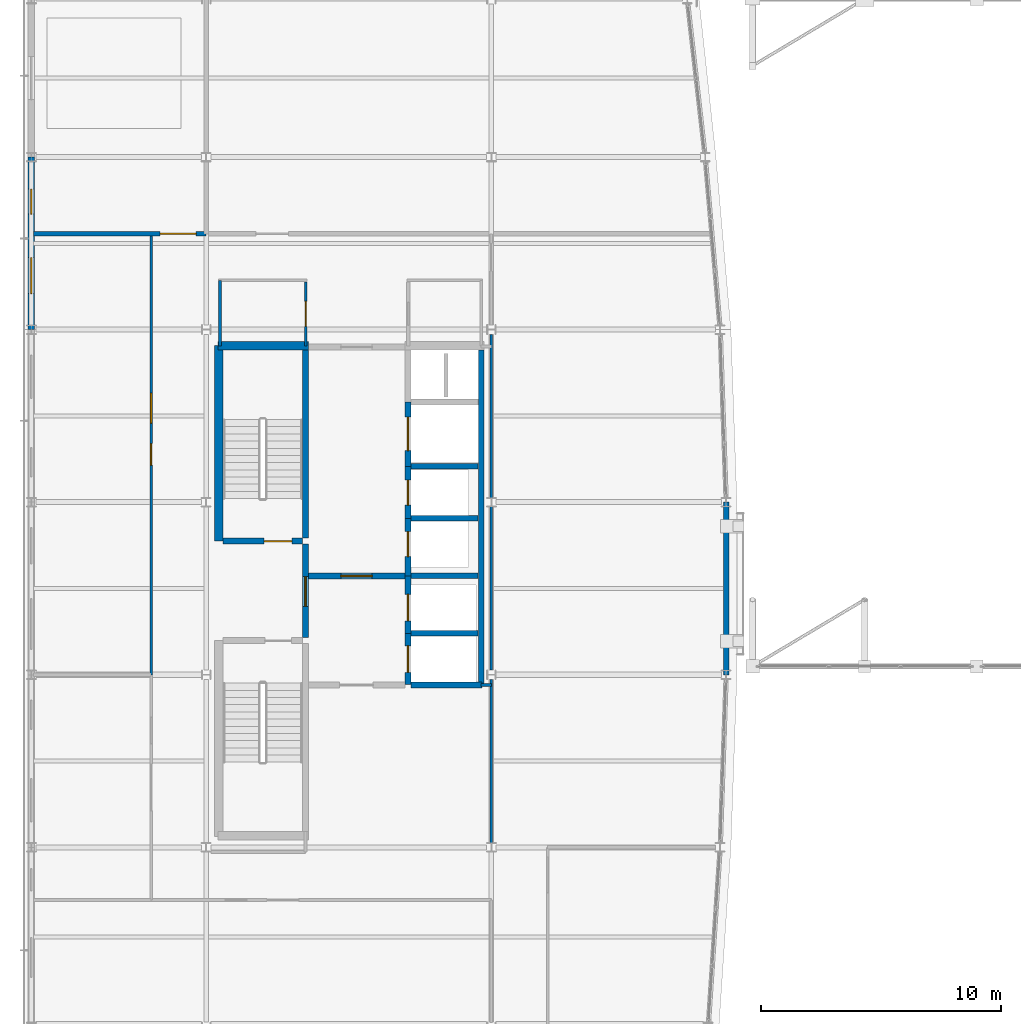
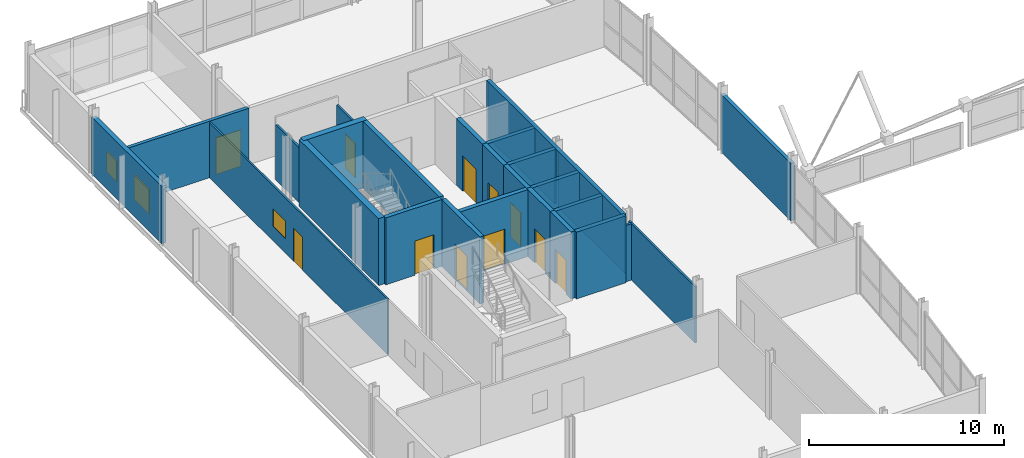
# One storey, part 51 of 60: 27 walls, 11 doors, 3 windows, 14 openings.
"""IFC4 building model written with IfcOpenShell, lengths in metres."""

from ifc_helpers import new_model, si_unit, direction, frame, frame_2d, origin, place, context, subcontext, project, spatial, rectangle, extrude, material, layer, layer_set, type_object, element, fill, save


model = new_model("IFC4")

# Units and contexts
model_context = context("Model", 3, precision=1e-05, world=origin(), true_north=direction((0.0, 1.0)))
body_context = subcontext(model_context, "Body", "Model", "MODEL_VIEW")
ifc_project = project(units=[si_unit("LENGTHUNIT", "METRE"), si_unit("AREAUNIT", "SQUARE_METRE"), si_unit("VOLUMEUNIT", "CUBIC_METRE"), si_unit("PLANEANGLEUNIT", "RADIAN"), si_unit("MASSUNIT", "GRAM", prefix="KILO")], contexts=[model_context])

# Site, building, storey
site_placement = place(None, origin())
site = spatial("IfcSite", under=ifc_project, at=site_placement, CompositionType="ELEMENT")
building_placement = place(site_placement, origin())
building = spatial("IfcBuilding", under=site, at=building_placement, Name="Quillay Park Conservatory", CompositionType="ELEMENT")
storey_placement = place(building_placement, frame((0.0, 0.0, 9.89990234375)))
storey = spatial("IfcBuildingStorey", under=building, at=storey_placement, Name="L02", CompositionType="ELEMENT", Elevation=9.89990234375)

# Wall, openings, window, door
ifc_material_1 = material(Name="Steel-Stud Acoustic Gypsum Board Partition", Category="steel")
ifc_layer_1 = layer(ifc_material_1, 0.10009765625)
ifc_layer_set_1 = layer_set([ifc_layer_1], Name="ACOUSTIC GYPSUM PARTITION 100 (Steel-Stud Acoustic Gypsum Board Partition)")
wall_type_1 = type_object("IfcWallType", Name="ACOUSTIC GYPSUM PARTITION 100", PredefinedType="PARTITIONING", material=ifc_layer_set_1)
wall_1_placement = place(storey_placement, frame((5.550048828125, 85.199951171875, 0.0), z_axis=(0.0, 0.0, 1.0), x_axis=(0.0, 1.0, 0.0)))
wall_1 = element("IfcWall", 1, at=wall_1_placement, inside=storey, type_object=wall_type_1, Name="L02 Botanical Folio Reference Studio Corridor Wall", PredefinedType="PARTITIONING", context=body_context, shape_type="SweptSolid", body=[
    extrude(rectangle(XDim=18.400146484375, YDim=0.10009765625, at=frame_2d((9.2001953125, 0.0))), origin(), (0.0, 0.0, 1.0), 3.466064453125),
])
opening_1_placement = place(wall_1_placement, frame((8.75, 0.0, 0.0)))
opening_1 = element("IfcOpeningElement", 2, at=opening_1_placement, cuts=wall_1, Name="Opening D-RM31", PredefinedType="OPENING", context=body_context, shape_type="SweptSolid", body=[
    extrude(rectangle(XDim=0.89990234375, YDim=2.080078125, at=frame_2d((0.449951171875, 1.0400390625))), frame((0.0, 0.050048828125, 0.0), z_axis=(0.0, -1.0, 0.0), x_axis=(1.0, 0.0, 0.0)), (0.0, 0.0, 1.0), 0.10009765625),
])
opening_2_placement = place(wall_1_placement, frame((10.5, 0.0, 0.919921875)))
opening_2 = element("IfcOpeningElement", 3, at=opening_2_placement, cuts=wall_1, Name="Opening W-IN04", PredefinedType="OPENING", context=body_context, shape_type="SweptSolid", body=[
    extrude(rectangle(XDim=1.25, YDim=1.10009765625, at=frame_2d((0.625, 0.550048828125))), frame((0.0, 0.050048828125, 0.0), z_axis=(0.0, -1.0, 0.0), x_axis=(1.0, 0.0, 0.0)), (0.0, 0.0, 1.0), 0.10009765625),
])
ifc_material_2 = material(Name="Low-E Double Glazing (Laminated Tempered)", Category="glass")
window_type_1 = type_object("IfcWindowType", Name="OPERABLE VENT WINDOW 1250 X1100", PartitioningType="SINGLE_PANEL", PredefinedType="WINDOW", material=ifc_material_2)
window_1_placement = place(opening_2_placement, origin())
window_1 = element("IfcWindow", 4, at=window_1_placement, inside=storey, type_object=window_type_1, Name="L02 Laboratory Vision Panel 016", OverallHeight=1.10009765625, OverallWidth=1.25, PartitioningType="SINGLE_PANEL", PredefinedType="WINDOW", context=body_context, shape_type="SweptSolid", body=[
    extrude(rectangle(XDim=1.25, YDim=1.10009765625, at=frame_2d((0.625, 0.550048828125))), frame((0.0, 0.030029296875, 0.0), z_axis=(0.0, -1.0, 0.0), x_axis=(1.0, 0.0, 0.0)), (0.0, 0.0, 1.0), 0.06005859375),
])
fill(opening_2, window_1)
ifc_material_3 = material(Name="Thermally Broken Anodised Aluminium 6063-T6", Category="aluminium")
door_type_1 = type_object("IfcDoorType", Name="SINGLE SWING DOOR 900 X2080", OperationType="NOTDEFINED", PredefinedType="DOOR", material=ifc_material_3)
door_1_placement = place(opening_1_placement, origin())
door_1 = element("IfcDoor", 5, at=door_1_placement, inside=storey, type_object=door_type_1, Name="L02 Door to Botanical Folio Reference Studio", OperationType="SINGLE_SWING_LEFT", OverallHeight=2.080078125, OverallWidth=0.89990234375, PredefinedType="DOOR", context=body_context, shape_type="SweptSolid", body=[
    extrude(rectangle(XDim=0.89990234375, YDim=2.080078125, at=frame_2d((0.449951171875, 1.0400390625))), frame((0.0, 0.02490234375, 0.0), z_axis=(0.0, -1.0, 0.0), x_axis=(1.0, 0.0, 0.0)), (0.0, 0.0, 1.0), 0.050048828125),
])
fill(opening_1, door_1)

# Wall
ifc_material_4 = material(Name="Steel-Stud Acoustic Gypsum Board Partition", Category="steel")
ifc_layer_2 = layer(ifc_material_4, 0.10498046875)
ifc_layer_set_2 = layer_set([ifc_layer_2], Name="ACOUSTIC GYPSUM PARTITION 105 (Steel-Stud Acoustic Gypsum Board Partition)")
wall_type_2 = type_object("IfcWallType", Name="ACOUSTIC GYPSUM PARTITION 105", PredefinedType="PARTITIONING", material=ifc_layer_set_2)
wall_2_placement = place(storey_placement, frame((19.75, 92.5849609375, 0.0), z_axis=(0.0, 0.0, 1.0), x_axis=(0.0, 1.0, 0.0)))
element("IfcWall", 6, at=wall_2_placement, inside=storey, type_object=wall_type_2, Name="L02 Field Botanist Collaboration Room West Wall 3", PredefinedType="PARTITIONING", context=body_context, shape_type="SweptSolid", body=[
    extrude(rectangle(XDim=6.822509765625, YDim=0.10498046875, at=frame_2d((3.4111328125, 0.0))), origin(), (0.0, 0.0, 1.0), 3.5419921875),
])

# Wall, opening, door
ifc_material_5 = material(Name="Steel-Stud Acoustic Gypsum Board Partition", Category="steel")
ifc_layer_3 = layer(ifc_material_5, 0.110107421875)
ifc_layer_set_3 = layer_set([ifc_layer_3], Name="ACOUSTIC GYPSUM PARTITION 110 (Steel-Stud Acoustic Gypsum Board Partition)")
wall_type_3 = type_object("IfcWallType", Name="ACOUSTIC GYPSUM PARTITION 110", PredefinedType="PARTITIONING", material=ifc_layer_set_3)
wall_3_placement = place(storey_placement, frame((12.0, 101.60009765625, 0.0), z_axis=(0.0, 0.0, 1.0), x_axis=(0.0, -1.0, 0.0)))
wall_3 = element("IfcWall", 7, at=wall_3_placement, inside=storey, type_object=wall_type_3, Name="L02 Accessible WC Door Wall", PredefinedType="PARTITIONING", context=body_context, shape_type="SweptSolid", body=[
    extrude(rectangle(XDim=2.68017578125, YDim=0.110107421875, at=frame_2d((1.340087890625, 0.0))), origin(), (0.0, 0.0, 1.0), 3.466064453125),
])
opening_3_placement = place(wall_3_placement, frame((0.820068359375, 0.0, 0.0)))
opening_3 = element("IfcOpeningElement", 8, at=opening_3_placement, cuts=wall_3, Name="Opening D-RM10", PredefinedType="OPENING", context=body_context, shape_type="SweptSolid", body=[
    extrude(rectangle(XDim=1.0400390625, YDim=2.14990234375, at=frame_2d((0.52001953125, 1.074951171875))), frame((0.0, 0.05517578125, 0.0), z_axis=(0.0, -1.0, 0.0), x_axis=(1.0, 0.0, 0.0)), (0.0, 0.0, 1.0), 0.110107421875),
])
ifc_material_6 = material(Name="Thermally Broken Anodised Aluminium 6063-T6", Category="aluminium")
door_type_2 = type_object("IfcDoorType", Name="SINGLE SWING DOOR 1040 X2150", OperationType="NOTDEFINED", PredefinedType="DOOR", material=ifc_material_6)
door_2_placement = place(opening_3_placement, origin())
door_2 = element("IfcDoor", 9, at=door_2_placement, inside=storey, type_object=door_type_2, Name="L02 Door to L02 Accessible WC", OperationType="SINGLE_SWING_LEFT", OverallHeight=2.14990234375, OverallWidth=1.0400390625, PredefinedType="DOOR", context=body_context, shape_type="SweptSolid", body=[
    extrude(rectangle(XDim=1.0400390625, YDim=2.14990234375, at=frame_2d((0.52001953125, 1.074951171875))), frame((0.0, 0.02490234375, 0.0), z_axis=(0.0, -1.0, 0.0), x_axis=(1.0, 0.0, 0.0)), (0.0, 0.0, 1.0), 0.050048828125),
])
fill(opening_3, door_2)

# Walls
wall_4_placement = place(storey_placement, frame((19.75, 85.392578125, 0.0), z_axis=(0.0, 0.0, 1.0), x_axis=(0.0, 1.0, 0.0)))
element("IfcWall", 10, at=wall_4_placement, inside=storey, type_object=wall_type_3, Name="L02 Field Botanist Collaboration Room West Wall 2", PredefinedType="PARTITIONING", context=body_context, shape_type="SweptSolid", body=[
    extrude(rectangle(XDim=6.822509765625, YDim=0.110107421875, at=frame_2d((3.4111328125, 0.0))), origin(), (0.0, 0.0, 1.0), 3.5419921875),
])
ifc_material_7 = material(Name="Steel-Stud Acoustic Gypsum Board Partition", Category="steel")
ifc_layer_4 = layer(ifc_material_7, 0.114990234375)
ifc_layer_set_4 = layer_set([ifc_layer_4], Name="ACOUSTIC GYPSUM PARTITION 115 (Steel-Stud Acoustic Gypsum Board Partition)")
wall_type_4 = type_object("IfcWallType", Name="ACOUSTIC GYPSUM PARTITION 115", PredefinedType="PARTITIONING", material=ifc_layer_set_4)
wall_5_placement = place(storey_placement, frame((19.75, 78.18505859375, 0.0), z_axis=(0.0, 0.0, 1.0), x_axis=(0.0, 1.0, 0.0)))
element("IfcWall", 11, at=wall_5_placement, inside=storey, type_object=wall_type_4, Name="L02 Field Botanist Collaboration Room West Wall 1", PredefinedType="PARTITIONING", context=body_context, shape_type="SweptSolid", body=[
    extrude(rectangle(XDim=6.822509765625, YDim=0.114990234375, at=frame_2d((3.4111328125, 0.0))), origin(), (0.0, 0.0, 1.0), 3.5419921875),
])
ifc_material_8 = material(Name="Steel-Stud Acoustic Gypsum Board Partition", Category="steel")
ifc_layer_5 = layer(ifc_material_8, 0.1201171875)
ifc_layer_set_5 = layer_set([ifc_layer_5], Name="ACOUSTIC GYPSUM PARTITION 120 (Steel-Stud Acoustic Gypsum Board Partition)")
wall_type_5 = type_object("IfcWallType", Name="ACOUSTIC GYPSUM PARTITION 120", PredefinedType="PARTITIONING", material=ifc_layer_set_5)
wall_6_placement = place(storey_placement, frame((8.419921875, 98.919921875, 0.0), z_axis=(0.0, 0.0, 1.0), x_axis=(0.0, 1.0, 0.0)))
element("IfcWall", 12, at=wall_6_placement, inside=storey, type_object=wall_type_5, Name="L02 Accessible WC West Wall", PredefinedType="PARTITIONING", context=body_context, shape_type="SweptSolid", body=[
    extrude(rectangle(XDim=2.739990234375, YDim=0.1201171875, at=frame_2d((1.3701171875, 0.0))), origin(), (0.0, 0.0, 1.0), 3.466064453125),
])
ifc_material_9 = material(Name="Steel-Stud Acoustic Gypsum Board Partition", Category="steel")
ifc_layer_6 = layer(ifc_material_9, 0.1298828125)
ifc_layer_set_6 = layer_set([ifc_layer_6], Name="ACOUSTIC GYPSUM PARTITION 130 (Steel-Stud Acoustic Gypsum Board Partition)")
wall_type_6 = type_object("IfcWallType", Name="ACOUSTIC GYPSUM PARTITION 130", PredefinedType="PARTITIONING", material=ifc_layer_set_6)
wall_7_placement = place(storey_placement, frame((19.320068359375, 84.77490234375, 0.0), z_axis=(0.0, 0.0, 1.0), x_axis=(1.0, 0.0, 0.0)))
element("IfcWall", 13, at=wall_7_placement, inside=storey, type_object=wall_type_6, Name="L02 Core South-East Closure", PredefinedType="PARTITIONING", context=body_context, shape_type="SweptSolid", body=[
    extrude(rectangle(XDim=0.429931640625, YDim=0.1298828125, at=frame_2d((0.21484375, 0.0))), origin(), (0.0, 0.0, 1.0), 3.5419921875),
])
ifc_material_10 = material(Name="Concrete C35/45 (NCh170 Concrete C35/45)", Category="concrete")
ifc_layer_7 = layer(ifc_material_10, 0.22509765625)
ifc_layer_set_7 = layer_set([ifc_layer_7], Name="CORE SHEAR WALL 225 (Concrete C35/45 (NCh170 Concrete C35/45))")
wall_type_7 = type_object("IfcWallType", Name="CORE SHEAR WALL 225", PredefinedType="SHEAR", material=ifc_layer_set_7)
wall_8_placement = place(storey_placement, frame((19.320068359375, 84.800048828125, 0.0), z_axis=(0.0, 0.0, 1.0), x_axis=(0.0, 1.0, 0.0)))
element("IfcWall", 14, at=wall_8_placement, inside=storey, type_object=wall_type_7, Name="L02 Core Shear Wall WL-LFBACK-L02", PredefinedType="SHEAR", context=body_context, shape_type="SweptSolid", body=[
    extrude(rectangle(XDim=13.949951171875, YDim=0.22509765625, at=frame_2d((6.97509765625, 0.0))), origin(), (0.0, 0.0, 1.0), 4.2001953125),
])
for number, where, z_axis, x_axis, name in (
    (15, (16.39990234375, 86.925048828125, 0.0), (0.0, 0.0, 1.0), (1.0, 0.0, 0.0), "L02 Core Shear Wall WL-LFDIV-L02-869"),
    (16, (16.39990234375, 89.324951171875, 0.0), (0.0, 0.0, 1.0), (1.0, 0.0, 0.0), "L02 Core Shear Wall WL-LFDIV-L02-893"),
    (17, (16.39990234375, 91.72509765625, 0.0), (0.0, 0.0, 1.0), (1.0, 0.0, 0.0), "L02 Core Shear Wall WL-LFDIV-L02-917"),
    (18, (16.39990234375, 93.89990234375, 0.0), (0.0, 0.0, 1.0), (1.0, 0.0, 0.0), "L02 Core Shear Wall WL-LFDIV-L02-939"),
):
    element("IfcWall", number, at=place(storey_placement, frame(where, z_axis=z_axis, x_axis=x_axis)), inside=storey, type_object=wall_type_7, Name=name, PredefinedType="SHEAR", context=body_context, shape_type="SweptSolid", body=[
        extrude(rectangle(XDim=2.800048828125, YDim=0.22509765625, at=frame_2d((1.39990234375, 0.0))), origin(), (0.0, 0.0, 1.0), 4.2001953125),
    ])
ifc_material_11 = material(Name="Concrete C40/50 (NCh170 Concrete C40/50)", Category="concrete")
ifc_layer_8 = layer(ifc_material_11, 0.25)
ifc_layer_set_8 = layer_set([ifc_layer_8], Name="CORE SHEAR WALL 250 (Concrete C40/50 (NCh170 Concrete C40/50))")
wall_type_8 = type_object("IfcWallType", Name="CORE SHEAR WALL 250", PredefinedType="SHEAR", material=ifc_layer_set_8)
wall_9_placement = place(storey_placement, frame((11.9951171875, 90.89990234375, 0.0), z_axis=(0.0, 0.0, 1.0), x_axis=(0.0, 1.0, 0.0)))
element("IfcWall", 19, at=wall_9_placement, inside=storey, type_object=wall_type_8, Name="L02 Core Shear Wall WL-T1E-L02", PredefinedType="SHEAR", context=body_context, shape_type="SweptSolid", body=[
    extrude(rectangle(XDim=7.85009765625, YDim=0.25, at=frame_2d((3.925048828125, 0.0))), origin(), (0.0, 0.0, 1.0), 4.2001953125),
])

# Wall, opening, door
wall_10_placement = place(storey_placement, frame((11.9951171875, 86.75, 0.0), z_axis=(0.0, 0.0, 1.0), x_axis=(0.0, 1.0, 0.0)))
wall_10 = element("IfcWall", 20, at=wall_10_placement, inside=storey, type_object=wall_type_8, Name="L02 Core Shear Wall WL-FFW-L02", PredefinedType="SHEAR", context=body_context, shape_type="SweptSolid", body=[
    extrude(rectangle(XDim=3.89990234375, YDim=0.25, at=frame_2d((1.949951171875, 0.0))), origin(), (0.0, 0.0, 1.0), 4.2001953125),
])
opening_4_placement = place(wall_10_placement, frame((1.300048828125, 0.0, 0.0)))
opening_4 = element("IfcOpeningElement", 21, at=opening_4_placement, cuts=wall_10, Name="Opening D-LB01", PredefinedType="OPENING", context=body_context, shape_type="SweptSolid", body=[
    extrude(rectangle(XDim=1.25, YDim=2.199951171875, at=frame_2d((0.625, 1.10009765625))), frame((0.0, 0.125, 0.0), z_axis=(0.0, -1.0, 0.0), x_axis=(1.0, 0.0, 0.0)), (0.0, 0.0, 1.0), 0.25),
])
ifc_material_12 = material(Name="Steel ASTM A572 Grade 50", Category="steel")
door_type_3 = type_object("IfcDoorType", Name="FIRE RATED LOBBY DOOR 1250 X2200", OperationType="NOTDEFINED", PredefinedType="DOOR", material=ifc_material_12)
door_3_placement = place(opening_4_placement, origin())
door_3 = element("IfcDoor", 22, at=door_3_placement, inside=storey, type_object=door_type_3, Name="L02 Firefighting Lobby Corridor Door", OperationType="SINGLE_SWING_LEFT", OverallHeight=2.199951171875, OverallWidth=1.25, PredefinedType="DOOR", context=body_context, shape_type="SweptSolid", body=[
    extrude(rectangle(XDim=1.25, YDim=2.199951171875, at=frame_2d((0.625, 1.10009765625))), frame((0.0, 0.02490234375, 0.0), z_axis=(0.0, -1.0, 0.0), x_axis=(1.0, 0.0, 0.0)), (0.0, 0.0, 1.0), 0.050048828125),
])
fill(opening_4, door_3)

wall_11_placement = place(storey_placement, frame((11.8701171875, 90.77490234375, 0.0), z_axis=(0.0, 0.0, 1.0), x_axis=(-1.0, 0.0, 0.0)))
wall_11 = element("IfcWall", 23, at=wall_11_placement, inside=storey, type_object=wall_type_8, Name="L02 Core Shear Wall WL-ST1D-L02", PredefinedType="SHEAR", context=body_context, shape_type="SweptSolid", body=[
    extrude(rectangle(XDim=3.320068359375, YDim=0.25, at=frame_2d((1.66015625, 0.0))), origin(), (0.0, 0.0, 1.0), 4.2001953125),
])
opening_5_placement = place(wall_11_placement, frame((0.449951171875, 0.0, 0.0)))
opening_5 = element("IfcOpeningElement", 24, at=opening_5_placement, cuts=wall_11, Name="Opening D-ST02", PredefinedType="OPENING", context=body_context, shape_type="SweptSolid", body=[
    extrude(rectangle(XDim=1.14990234375, YDim=2.14990234375, at=frame_2d((0.574951171875, 1.074951171875))), frame((0.0, 0.125, 0.0), z_axis=(0.0, -1.0, 0.0), x_axis=(1.0, 0.0, 0.0)), (0.0, 0.0, 1.0), 0.25),
])
ifc_material_13 = material(Name="Steel ASTM A572 Grade 50", Category="steel")
door_type_4 = type_object("IfcDoorType", Name="FIRE RATED STAIR DOOR 1150 X2150", OperationType="NOTDEFINED", PredefinedType="DOOR", material=ifc_material_13)
door_4_placement = place(opening_5_placement, origin())
door_4 = element("IfcDoor", 25, at=door_4_placement, inside=storey, type_object=door_type_4, Name="L02 Protected Stair ST-T1 Door", OperationType="SINGLE_SWING_RIGHT", OverallHeight=2.14990234375, OverallWidth=1.14990234375, PredefinedType="DOOR", context=body_context, shape_type="SweptSolid", body=[
    extrude(rectangle(XDim=1.14990234375, YDim=2.14990234375, at=frame_2d((0.574951171875, 1.074951171875))), frame((0.0, 0.02490234375, 0.0), z_axis=(0.0, -1.0, 0.0), x_axis=(1.0, 0.0, 0.0)), (0.0, 0.0, 1.0), 0.050048828125),
])
fill(opening_5, door_4)

wall_12_placement = place(storey_placement, frame((12.1201171875, 89.324951171875, 0.0), z_axis=(0.0, 0.0, 1.0), x_axis=(1.0, 0.0, 0.0)))
wall_12 = element("IfcWall", 26, at=wall_12_placement, inside=storey, type_object=wall_type_8, Name="L02 Core Shear Wall WL-FFDIV-L02", PredefinedType="SHEAR", context=body_context, shape_type="SweptSolid", body=[
    extrude(rectangle(XDim=4.02978515625, YDim=0.25, at=frame_2d((2.014892578125, 0.0))), origin(), (0.0, 0.0, 1.0), 4.2001953125),
])
opening_6_placement = place(wall_12_placement, frame((1.35009765625, 0.0, 0.0)))
opening_6 = element("IfcOpeningElement", 27, at=opening_6_placement, cuts=wall_12, Name="Opening D-LB02", PredefinedType="OPENING", context=body_context, shape_type="SweptSolid", body=[
    extrude(rectangle(XDim=1.300048828125, YDim=2.199951171875, at=frame_2d((0.64990234375, 1.10009765625))), frame((0.0, 0.125, 0.0), z_axis=(0.0, -1.0, 0.0), x_axis=(1.0, 0.0, 0.0)), (0.0, 0.0, 1.0), 0.25),
])
ifc_material_14 = material(Name="Steel ASTM A572 Grade 50", Category="steel")
door_type_5 = type_object("IfcDoorType", Name="FIRE RATED LOBBY DOOR 1300 X2200", OperationType="NOTDEFINED", PredefinedType="DOOR", material=ifc_material_14)
door_5_placement = place(opening_6_placement, origin())
door_5 = element("IfcDoor", 28, at=door_5_placement, inside=storey, type_object=door_type_5, Name="L02 Firefighting to Passenger Lobby Door", OperationType="SINGLE_SWING_LEFT", OverallHeight=2.199951171875, OverallWidth=1.300048828125, PredefinedType="DOOR", context=body_context, shape_type="SweptSolid", body=[
    extrude(rectangle(XDim=1.300048828125, YDim=2.199951171875, at=frame_2d((0.64990234375, 1.10009765625))), frame((0.0, 0.02490234375, 0.0), z_axis=(0.0, -1.0, 0.0), x_axis=(1.0, 0.0, 0.0)), (0.0, 0.0, 1.0), 0.050048828125),
])
fill(opening_6, door_5)

# Wall
wall_13_placement = place(storey_placement, frame((16.39990234375, 84.77490234375, 0.0), z_axis=(0.0, 0.0, 1.0), x_axis=(1.0, 0.0, 0.0)))
element("IfcWall", 29, at=wall_13_placement, inside=storey, type_object=wall_type_8, Name="L02 Core Shear Wall WL-LFSO-L02", PredefinedType="SHEAR", context=body_context, shape_type="SweptSolid", body=[
    extrude(rectangle(XDim=2.9501953125, YDim=0.25, at=frame_2d((1.47509765625, 0.0))), origin(), (0.0, 0.0, 1.0), 4.2001953125),
])

# Wall, opening, door
wall_14_placement = place(storey_placement, frame((16.27490234375, 84.800048828125, 0.0), z_axis=(0.0, 0.0, 1.0), x_axis=(0.0, 1.0, 0.0)))
wall_14 = element("IfcWall", 30, at=wall_14_placement, inside=storey, type_object=wall_type_8, Name="L02 Core Shear Wall WL-LFFR-L02-LF-FF1", PredefinedType="SHEAR", context=body_context, shape_type="SweptSolid", body=[
    extrude(rectangle(XDim=2.125, YDim=0.25, at=frame_2d((1.0625, 0.0))), origin(), (0.0, 0.0, 1.0), 4.2001953125),
])
opening_7_placement = place(wall_14_placement, frame((0.5, 0.0, 0.0)))
opening_7 = element("IfcOpeningElement", 31, at=opening_7_placement, cuts=wall_14, Name="Opening LD01", PredefinedType="OPENING", context=body_context, shape_type="SweptSolid", body=[
    extrude(rectangle(XDim=1.10009765625, YDim=2.14990234375, at=frame_2d((0.550048828125, 1.074951171875))), frame((0.0, 0.125, 0.0), z_axis=(0.0, -1.0, 0.0), x_axis=(1.0, 0.0, 0.0)), (0.0, 0.0, 1.0), 0.25),
])
ifc_material_15 = material(Name="Steel ASTM A572 Grade 50", Category="steel")
door_type_6 = type_object("IfcDoorType", Name="LIFT LANDING SLIDING DOOR 1100 X2150", OperationType="NOTDEFINED", PredefinedType="DOOR", material=ifc_material_15)
door_6_placement = place(opening_7_placement, origin())
door_6 = element("IfcDoor", 32, at=door_6_placement, inside=storey, type_object=door_type_6, Name="L02 LF-FF1 Lift Landing Door LD01", OperationType="SLIDING_TO_LEFT", OverallHeight=2.14990234375, OverallWidth=1.10009765625, PredefinedType="DOOR", context=body_context, shape_type="SweptSolid", body=[
    extrude(rectangle(XDim=1.10009765625, YDim=2.14990234375, at=frame_2d((0.550048828125, 1.074951171875))), frame((0.0, 0.02490234375, 0.0), z_axis=(0.0, -1.0, 0.0), x_axis=(1.0, 0.0, 0.0)), (0.0, 0.0, 1.0), 0.050048828125),
])
fill(opening_7, door_6)

wall_15_placement = place(storey_placement, frame((16.27490234375, 86.925048828125, 0.0), z_axis=(0.0, 0.0, 1.0), x_axis=(0.0, 1.0, 0.0)))
wall_15 = element("IfcWall", 33, at=wall_15_placement, inside=storey, type_object=wall_type_8, Name="L02 Core Shear Wall WL-LFFR-L02-LF-FF2", PredefinedType="SHEAR", context=body_context, shape_type="SweptSolid", body=[
    extrude(rectangle(XDim=2.39990234375, YDim=0.25, at=frame_2d((1.199951171875, 0.0))), origin(), (0.0, 0.0, 1.0), 4.2001953125),
])
opening_8_placement = place(wall_15_placement, frame((0.52490234375, 0.0, 0.0)))
opening_8 = element("IfcOpeningElement", 34, at=opening_8_placement, cuts=wall_15, Name="Opening LD01", PredefinedType="OPENING", context=body_context, shape_type="SweptSolid", body=[
    extrude(rectangle(XDim=1.10009765625, YDim=2.14990234375, at=frame_2d((0.550048828125, 1.074951171875))), frame((0.0, 0.125, 0.0), z_axis=(0.0, -1.0, 0.0), x_axis=(1.0, 0.0, 0.0)), (0.0, 0.0, 1.0), 0.25),
])
door_7_placement = place(opening_8_placement, origin())
door_7 = element("IfcDoor", 35, at=door_7_placement, inside=storey, type_object=door_type_6, Name="L02 LF-FF2 Lift Landing Door LD01", OperationType="SLIDING_TO_LEFT", OverallHeight=2.14990234375, OverallWidth=1.10009765625, PredefinedType="DOOR", context=body_context, shape_type="SweptSolid", body=[
    extrude(rectangle(XDim=1.10009765625, YDim=2.14990234375, at=frame_2d((0.550048828125, 1.074951171875))), frame((0.0, 0.02490234375, 0.0), z_axis=(0.0, -1.0, 0.0), x_axis=(1.0, 0.0, 0.0)), (0.0, 0.0, 1.0), 0.050048828125),
])
fill(opening_8, door_7)

wall_16_placement = place(storey_placement, frame((16.27490234375, 89.324951171875, 0.0), z_axis=(0.0, 0.0, 1.0), x_axis=(0.0, 1.0, 0.0)))
wall_16 = element("IfcWall", 36, at=wall_16_placement, inside=storey, type_object=wall_type_8, Name="L02 Core Shear Wall WL-LFFR-L02-LF-P1", PredefinedType="SHEAR", context=body_context, shape_type="SweptSolid", body=[
    extrude(rectangle(XDim=2.400146484375, YDim=0.25, at=frame_2d((1.2001953125, 0.0))), origin(), (0.0, 0.0, 1.0), 4.2001953125),
])
opening_9_placement = place(wall_16_placement, frame((0.800048828125, 0.0, 0.0)))
opening_9 = element("IfcOpeningElement", 37, at=opening_9_placement, cuts=wall_16, Name="Opening LD02", PredefinedType="OPENING", context=body_context, shape_type="SweptSolid", body=[
    extrude(rectangle(XDim=1.050048828125, YDim=2.14990234375, at=frame_2d((0.52490234375, 1.074951171875))), frame((0.0, 0.125, 0.0), z_axis=(0.0, -1.0, 0.0), x_axis=(1.0, 0.0, 0.0)), (0.0, 0.0, 1.0), 0.25),
])
ifc_material_16 = material(Name="Steel ASTM A572 Grade 50", Category="steel")
door_type_7 = type_object("IfcDoorType", Name="LIFT LANDING SLIDING DOOR 1050 X2150", OperationType="NOTDEFINED", PredefinedType="DOOR", material=ifc_material_16)
door_8_placement = place(opening_9_placement, origin())
door_8 = element("IfcDoor", 38, at=door_8_placement, inside=storey, type_object=door_type_7, Name="L02 LF-P1 Lift Landing Door LD02", OperationType="SLIDING_TO_LEFT", OverallHeight=2.14990234375, OverallWidth=1.050048828125, PredefinedType="DOOR", context=body_context, shape_type="SweptSolid", body=[
    extrude(rectangle(XDim=1.050048828125, YDim=2.14990234375, at=frame_2d((0.52490234375, 1.074951171875))), frame((0.0, 0.02490234375, 0.0), z_axis=(0.0, -1.0, 0.0), x_axis=(1.0, 0.0, 0.0)), (0.0, 0.0, 1.0), 0.050048828125),
])
fill(opening_9, door_8)

wall_17_placement = place(storey_placement, frame((16.27490234375, 91.72509765625, 0.0), z_axis=(0.0, 0.0, 1.0), x_axis=(0.0, 1.0, 0.0)))
wall_17 = element("IfcWall", 39, at=wall_17_placement, inside=storey, type_object=wall_type_8, Name="L02 Core Shear Wall WL-LFFR-L02-LF-P2", PredefinedType="SHEAR", context=body_context, shape_type="SweptSolid", body=[
    extrude(rectangle(XDim=2.1748046875, YDim=0.25, at=frame_2d((1.08740234375, 0.0))), origin(), (0.0, 0.0, 1.0), 4.2001953125),
])
opening_10_placement = place(wall_17_placement, frame((0.550048828125, 0.0, 0.0)))
opening_10 = element("IfcOpeningElement", 40, at=opening_10_placement, cuts=wall_17, Name="Opening LD02", PredefinedType="OPENING", context=body_context, shape_type="SweptSolid", body=[
    extrude(rectangle(XDim=1.050048828125, YDim=2.14990234375, at=frame_2d((0.52490234375, 1.074951171875))), frame((0.0, 0.125, 0.0), z_axis=(0.0, -1.0, 0.0), x_axis=(1.0, 0.0, 0.0)), (0.0, 0.0, 1.0), 0.25),
])
door_9_placement = place(opening_10_placement, origin())
door_9 = element("IfcDoor", 41, at=door_9_placement, inside=storey, type_object=door_type_7, Name="L02 LF-P2 Lift Landing Door LD02", OperationType="SLIDING_TO_LEFT", OverallHeight=2.14990234375, OverallWidth=1.050048828125, PredefinedType="DOOR", context=body_context, shape_type="SweptSolid", body=[
    extrude(rectangle(XDim=1.050048828125, YDim=2.14990234375, at=frame_2d((0.52490234375, 1.074951171875))), frame((0.0, 0.02490234375, 0.0), z_axis=(0.0, -1.0, 0.0), x_axis=(1.0, 0.0, 0.0)), (0.0, 0.0, 1.0), 0.050048828125),
])
fill(opening_10, door_9)

wall_18_placement = place(storey_placement, frame((16.27490234375, 93.89990234375, 0.0), z_axis=(0.0, 0.0, 1.0), x_axis=(0.0, 1.0, 0.0)))
wall_18 = element("IfcWall", 42, at=wall_18_placement, inside=storey, type_object=wall_type_8, Name="L02 Core Shear Wall WL-LFFR-L02-LF-G1", PredefinedType="SHEAR", context=body_context, shape_type="SweptSolid", body=[
    extrude(rectangle(XDim=2.675048828125, YDim=0.25, at=frame_2d((1.33740234375, 0.0))), origin(), (0.0, 0.0, 1.0), 4.2001953125),
])
opening_11_placement = place(wall_18_placement, frame((0.64990234375, 0.0, 0.0)))
opening_11 = element("IfcOpeningElement", 43, at=opening_11_placement, cuts=wall_18, Name="Opening LD03", PredefinedType="OPENING", context=body_context, shape_type="SweptSolid", body=[
    extrude(rectangle(XDim=1.39990234375, YDim=2.25, at=frame_2d((0.699951171875, 1.125))), frame((0.0, 0.125, 0.0), z_axis=(0.0, -1.0, 0.0), x_axis=(1.0, 0.0, 0.0)), (0.0, 0.0, 1.0), 0.25),
])
ifc_material_17 = material(Name="Steel ASTM A572 Grade 50", Category="steel")
door_type_8 = type_object("IfcDoorType", Name="LIFT LANDING SLIDING DOOR 1400 X2250", OperationType="NOTDEFINED", PredefinedType="DOOR", material=ifc_material_17)
door_10_placement = place(opening_11_placement, origin())
door_10 = element("IfcDoor", 44, at=door_10_placement, inside=storey, type_object=door_type_8, Name="L02 LF-G1 Lift Landing Door LD03", OperationType="SLIDING_TO_LEFT", OverallHeight=2.25, OverallWidth=1.39990234375, PredefinedType="DOOR", context=body_context, shape_type="SweptSolid", body=[
    extrude(rectangle(XDim=1.39990234375, YDim=2.25, at=frame_2d((0.699951171875, 1.125))), frame((0.0, 0.02490234375, 0.0), z_axis=(0.0, -1.0, 0.0), x_axis=(1.0, 0.0, 0.0)), (0.0, 0.0, 1.0), 0.050048828125),
])
fill(opening_11, door_10)

# Walls
ifc_material_18 = material(Name="Concrete C40/50 (NCh170 Concrete C40/50)", Category="concrete")
ifc_layer_9 = layer(ifc_material_18, 0.35009765625)
ifc_layer_set_9 = layer_set([ifc_layer_9], Name="CORE SHEAR WALL 350 (Concrete C40/50 (NCh170 Concrete C40/50))")
wall_type_9 = type_object("IfcWallType", Name="CORE SHEAR WALL 350", PredefinedType="SHEAR", material=ifc_layer_set_9)
wall_19_placement = place(storey_placement, frame((8.375, 90.77490234375, 0.0), z_axis=(0.0, 0.0, 1.0), x_axis=(0.0, 1.0, 0.0)))
element("IfcWall", 45, at=wall_19_placement, inside=storey, type_object=wall_type_9, Name="L02 Core Shear Wall WL-TCW-N-L02", PredefinedType="SHEAR", context=body_context, shape_type="SweptSolid", body=[
    extrude(rectangle(XDim=8.175048828125, YDim=0.35009765625, at=frame_2d((4.08740234375, 0.0))), origin(), (0.0, 0.0, 1.0), 4.2001953125),
])
wall_20_placement = place(storey_placement, frame((8.35009765625, 98.925048828125, 0.0), z_axis=(0.0, 0.0, 1.0), x_axis=(1.0, 0.0, 0.0)))
element("IfcWall", 46, at=wall_20_placement, inside=storey, type_object=wall_type_9, Name="L02 Core Shear Wall WL-TCN-W-L02", PredefinedType="SHEAR", context=body_context, shape_type="SweptSolid", body=[
    extrude(rectangle(XDim=3.77001953125, YDim=0.35009765625, at=frame_2d((1.885009765625, 0.0))), origin(), (0.0, 0.0, 1.0), 4.2001953125),
])
ifc_material_19 = material(Name="Glass-Fibre Reinforced Concrete (GRC) Cladding", Category="concrete")
ifc_layer_10 = layer(ifc_material_19, 0.219970703125)
ifc_layer_set_10 = layer_set([ifc_layer_10], Name="EXTERIOR SOLID WALL 220 (Glass-Fibre Reinforced Concrete (GRC) Cladding)")
wall_type_10 = type_object("IfcWallType", Name="EXTERIOR SOLID WALL 220", PredefinedType="SOLIDWALL", material=ifc_layer_set_10)
wall_21_placement = place(storey_placement, frame((29.550048828125, 92.39990234375, 0.0), z_axis=(0.0, 0.0, 1.0), x_axis=(0.0, -1.0, 0.0)))
element("IfcWall", 47, at=wall_21_placement, inside=storey, type_object=wall_type_10, Name="L02 External Wall WL-LB2W-L02", PredefinedType="SOLIDWALL", context=body_context, shape_type="SweptSolid", body=[
    extrude(rectangle(XDim=7.199951171875, YDim=0.219970703125, at=frame_2d((3.60009765625, 0.0))), origin(), (0.0, 0.0, 1.0), 3.592041015625),
])

# Wall, openings, windows
ifc_material_20 = material(Name="Glass-Fibre Reinforced Concrete (GRC) Cladding", Category="concrete")
ifc_layer_11 = layer(ifc_material_20, 0.260009765625)
ifc_layer_set_11 = layer_set([ifc_layer_11], Name="EXTERIOR SOLID WALL 260 (Glass-Fibre Reinforced Concrete (GRC) Cladding)")
wall_type_11 = type_object("IfcWallType", Name="EXTERIOR SOLID WALL 260", PredefinedType="SOLIDWALL", material=ifc_layer_set_11)
wall_22_placement = place(storey_placement, frame((0.550048828125, 99.60009765625, 0.0), z_axis=(0.0, 0.0, 1.0), x_axis=(0.0, 1.0, 0.0)))
wall_22 = element("IfcWall", 48, at=wall_22_placement, inside=storey, type_object=wall_type_11, Name="L02 External Wall WL-EXT-V4W-L02-5", PredefinedType="SOLIDWALL", context=body_context, shape_type="SweptSolid", body=[
    extrude(rectangle(XDim=7.199951171875, YDim=0.260009765625, at=frame_2d((3.60009765625, 0.0))), origin(), (0.0, 0.0, 1.0), 3.592041015625),
])
opening_12_placement = place(wall_22_placement, frame((1.5048828125, 0.0, 0.919921875)))
opening_12 = element("IfcOpeningElement", 49, at=opening_12_placement, cuts=wall_22, Name="Opening W-08", PredefinedType="OPENING", context=body_context, shape_type="SweptSolid", body=[
    extrude(rectangle(XDim=1.5, YDim=1.550048828125, at=frame_2d((0.75, 0.77490234375))), frame((0.0, 0.1298828125, 0.0), z_axis=(0.0, -1.0, 0.0), x_axis=(1.0, 0.0, 0.0)), (0.0, 0.0, 1.0), 0.260009765625),
])
opening_13_placement = place(wall_22_placement, frame((4.820068359375, 0.0, 0.919921875)))
opening_13 = element("IfcOpeningElement", 50, at=opening_13_placement, cuts=wall_22, Name="Opening W-18", PredefinedType="OPENING", context=body_context, shape_type="SweptSolid", body=[
    extrude(rectangle(XDim=1.050048828125, YDim=1.300048828125, at=frame_2d((0.52490234375, 0.64990234375))), frame((0.0, 0.1298828125, 0.0), z_axis=(0.0, -1.0, 0.0), x_axis=(1.0, 0.0, 0.0)), (0.0, 0.0, 1.0), 0.260009765625),
])
ifc_material_21 = material(Name="Low-E Double Glazing (Laminated Tempered)", Category="glass")
window_type_2 = type_object("IfcWindowType", Name="FIXED CASEMENT WINDOW 1050 X1300", PartitioningType="SINGLE_PANEL", PredefinedType="WINDOW", material=ifc_material_21)
window_2_placement = place(opening_13_placement, origin())
window_2 = element("IfcWindow", 51, at=window_2_placement, inside=storey, type_object=window_type_2, Name="L02 Exterior Window 0116", OverallHeight=1.300048828125, OverallWidth=1.050048828125, PartitioningType="SINGLE_PANEL", PredefinedType="WINDOW", context=body_context, shape_type="SweptSolid", body=[
    extrude(rectangle(XDim=1.050048828125, YDim=1.300048828125, at=frame_2d((0.52490234375, 0.64990234375))), frame((0.0, 0.030029296875, 0.0), z_axis=(0.0, -1.0, 0.0), x_axis=(1.0, 0.0, 0.0)), (0.0, 0.0, 1.0), 0.06005859375),
])
fill(opening_13, window_2)
ifc_material_22 = material(Name="Low-E Double Glazing (Laminated Tempered)", Category="glass")
window_type_3 = type_object("IfcWindowType", Name="FIXED CASEMENT WINDOW 1500 X1550", PartitioningType="SINGLE_PANEL", PredefinedType="WINDOW", material=ifc_material_22)
window_3_placement = place(opening_12_placement, origin())
window_3 = element("IfcWindow", 52, at=window_3_placement, inside=storey, type_object=window_type_3, Name="L02 Exterior Window 0115", OverallHeight=1.550048828125, OverallWidth=1.5, PartitioningType="SINGLE_PANEL", PredefinedType="WINDOW", context=body_context, shape_type="SweptSolid", body=[
    extrude(rectangle(XDim=1.5, YDim=1.550048828125, at=frame_2d((0.75, 0.77490234375))), frame((0.0, 0.030029296875, 0.0), z_axis=(0.0, -1.0, 0.0), x_axis=(1.0, 0.0, 0.0)), (0.0, 0.0, 1.0), 0.06005859375),
])
fill(opening_12, window_3)

# Wall, opening, door
ifc_material_23 = material(Name="Concrete C35/45 (NCh170 Concrete C35/45)", Category="concrete")
ifc_layer_12 = layer(ifc_material_23, 0.199951171875)
ifc_layer_set_12 = layer_set([ifc_layer_12], Name="SOLID VAULT WALL 200 (Concrete C35/45 (NCh170 Concrete C35/45))")
wall_type_12 = type_object("IfcWallType", Name="SOLID VAULT WALL 200", PredefinedType="SOLIDWALL", material=ifc_layer_set_12)
wall_23_placement = place(storey_placement, frame((0.64990234375, 103.60009765625, 0.0), z_axis=(0.0, 0.0, 1.0), x_axis=(1.0, 0.0, 0.0)))
wall_23 = element("IfcWall", 53, at=wall_23_placement, inside=storey, type_object=wall_type_12, Name="L02 Herbarium Pressing Chamber South Wall", PredefinedType="SOLIDWALL", context=body_context, shape_type="SweptSolid", body=[
    extrude(rectangle(XDim=7.2001953125, YDim=0.199951171875, at=frame_2d((3.60009765625, 0.0))), origin(), (0.0, 0.0, 1.0), 3.5419921875),
])
opening_14_placement = place(wall_23_placement, frame((5.280029296875, 0.0, 0.0)))
opening_14 = element("IfcOpeningElement", 54, at=opening_14_placement, cuts=wall_23, Name="Opening D-HB02", PredefinedType="OPENING", context=body_context, shape_type="SweptSolid", body=[
    extrude(rectangle(XDim=1.5, YDim=2.300048828125, at=frame_2d((0.75, 1.14990234375))), frame((0.0, 0.10009765625, 0.0), z_axis=(0.0, -1.0, 0.0), x_axis=(1.0, 0.0, 0.0)), (0.0, 0.0, 1.0), 0.199951171875),
])
ifc_material_24 = material(Name="Steel ASTM A572 Grade 50", Category="steel")
door_type_9 = type_object("IfcDoorType", Name="FIRE RATED VAULT DOOR 1500 X2300", OperationType="NOTDEFINED", PredefinedType="DOOR", material=ifc_material_24)
door_11_placement = place(opening_14_placement, origin())
door_11 = element("IfcDoor", 55, at=door_11_placement, inside=storey, type_object=door_type_9, Name="L02 Door to Herbarium Pressing Chamber", OperationType="SINGLE_SWING_RIGHT", OverallHeight=2.300048828125, OverallWidth=1.5, PredefinedType="DOOR", context=body_context, shape_type="SweptSolid", body=[
    extrude(rectangle(XDim=1.5, YDim=2.300048828125, at=frame_2d((0.75, 1.14990234375))), frame((0.0, 0.02490234375, 0.0), z_axis=(0.0, -1.0, 0.0), x_axis=(1.0, 0.0, 0.0)), (0.0, 0.0, 1.0), 0.050048828125),
])
fill(opening_14, door_11)

save(model, "model.ifc")
